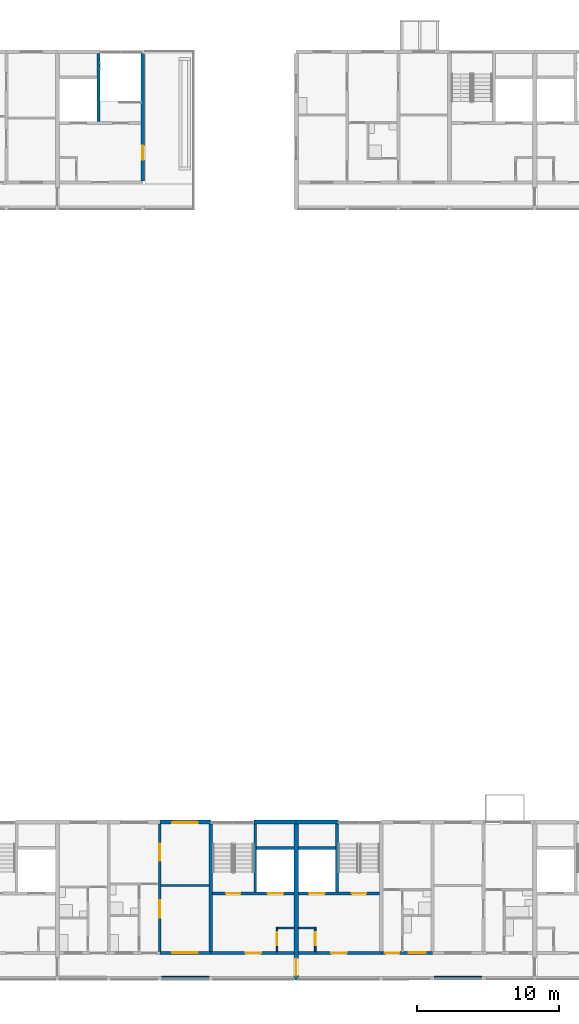
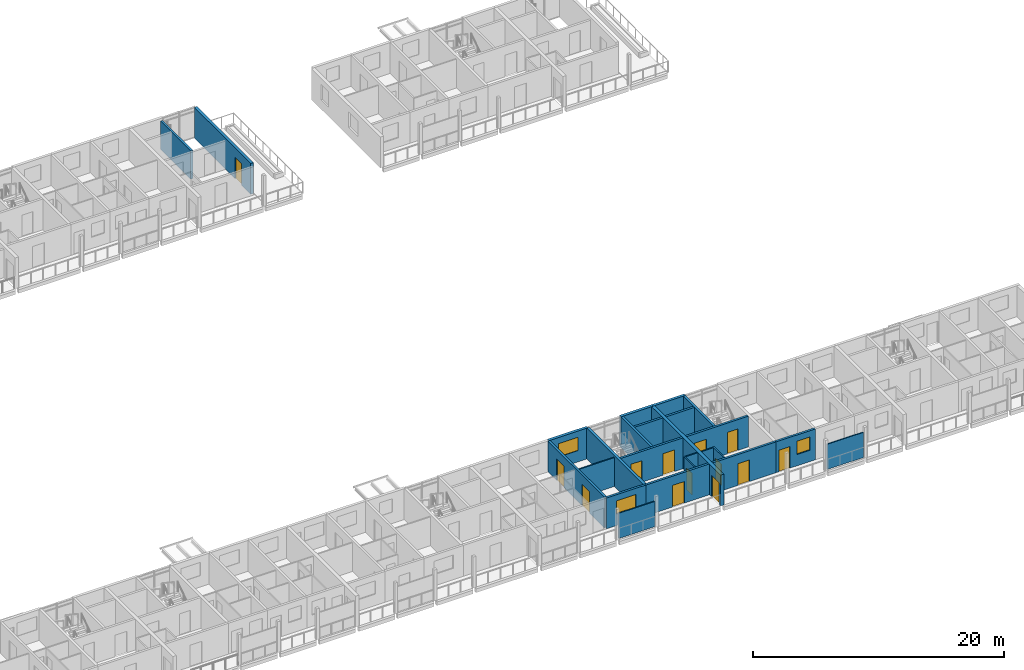
# One storey, part 54 of 87: 25 walls, 13 doors, 3 windows, 16 openings.
"""IFC4 building model written with IfcOpenShell, lengths in metres."""

import ifcopenshell
import ifcopenshell.guid

model = None  # the IFC model being written
_history = None  # IfcOwnerHistory: only IFC2X3 demands one
_inside = {}  # id of a spatial element -> (the spatial element, [elements in it])
_under = {}  # id of a project, library or spatial element -> (it, [spatial elements below it])
_declared = {}  # id of a project -> (the project, [libraries it declares])
_typed = {}  # id of a type object -> (the type object, [elements of that type])
_made_of = {}  # id of a material, layer set ... -> (it, [elements and type objects made of it])


def new_model(schema):
    """Start an empty IFC model of exactly this schema.

    Asked for "IFC4X3", IfcOpenShell would pick the latest addendum, in which some entities
    have other attributes; the version numbers below select the first issue.
    IFC2X3 requires an IfcOwnerHistory on every rooted entity: one is made here for all.
    """
    global model, _history
    if schema == "IFC4X3":
        model = ifcopenshell.file(schema_version=(4, 3, 0, 0))
    else:
        model = ifcopenshell.file(schema=schema)
    _inside.clear()
    _under.clear()
    _declared.clear()
    _typed.clear()
    _made_of.clear()
    _history = None
    if model.schema == "IFC2X3":
        org = make("IfcOrganization", Name="unknown")
        user = make(
            "IfcPersonAndOrganization",
            ThePerson=make("IfcPerson", FamilyName="unknown"),
            TheOrganization=org,
        )
        app = make(
            "IfcApplication",
            ApplicationDeveloper=org,
            Version="unknown",
            ApplicationFullName="unknown",
            ApplicationIdentifier="unknown",
        )
        _history = make(
            "IfcOwnerHistory",
            OwningUser=user,
            OwningApplication=app,
            ChangeAction="ADDED",
            CreationDate=0,
        )
    return model


def make(cls, **values):
    """One entity of the class cls with the attributes given. An attribute that is None is left unset."""
    return model.create_entity(
        cls, **{name: value for name, value in values.items() if value is not None}
    )


def rooted(cls, **values):
    """An entity with a GlobalId (a new one), such as an element, a storey or a relation."""
    return make(cls, GlobalId=ifcopenshell.guid.new(), OwnerHistory=_history, **values)


def si_unit(unit_type, name, prefix=None):
    """IfcSIUnit, for example si_unit("LENGTHUNIT", "METRE", prefix="MILLI")."""
    return make("IfcSIUnit", UnitType=unit_type, Prefix=prefix, Name=name)


def assignment(units):
    """IfcUnitAssignment: the units of a project."""
    return None if units is None else make("IfcUnitAssignment", Units=units)


def point(xyz):
    """IfcCartesianPoint."""
    return None if xyz is None else make("IfcCartesianPoint", Coordinates=xyz)


def direction(xyz):
    """IfcDirection."""
    return None if xyz is None else make("IfcDirection", DirectionRatios=xyz)


def frame(location, z_axis=None, x_axis=None):
    """IfcAxis2Placement3D, a coordinate frame: its origin and axes. An axis left out is left unset."""
    return make(
        "IfcAxis2Placement3D",
        Location=point(location),
        Axis=direction(z_axis),
        RefDirection=direction(x_axis),
    )


def frame_2d(location, x_axis=None):
    """IfcAxis2Placement2D, a coordinate frame in the plane: its origin and x axis."""
    return make(
        "IfcAxis2Placement2D", Location=point(location), RefDirection=direction(x_axis)
    )


def origin():
    """The frame at (0, 0, 0) with its axes left unset."""
    return frame((0.0, 0.0, 0.0))


def place(relative_to, where):
    """IfcLocalPlacement: puts the frame where relative to a parent placement (None: the world)."""
    return make(
        "IfcLocalPlacement", PlacementRelTo=relative_to, RelativePlacement=where
    )


def context(
    kind, dimensions, precision=None, world=None, true_north=None, identifier=None
):
    """IfcGeometricRepresentationContext, for example the 3D "Model" context."""
    return make(
        "IfcGeometricRepresentationContext",
        ContextIdentifier=identifier,
        ContextType=kind,
        CoordinateSpaceDimension=dimensions,
        Precision=precision,
        WorldCoordinateSystem=world,
        TrueNorth=true_north,
    )


def subcontext(parent, identifier, kind, view, scale=None):
    """IfcGeometricRepresentationSubContext, for example "Body" below "Model"."""
    return make(
        "IfcGeometricRepresentationSubContext",
        ContextIdentifier=identifier,
        ContextType=kind,
        ParentContext=parent,
        TargetScale=scale,
        TargetView=view,
    )


def project(units=None, contexts=None):
    """IfcProject with its units and contexts."""
    return rooted(
        "IfcProject",
        Name="project",
        RepresentationContexts=contexts,
        UnitsInContext=assignment(units),
    )


def spatial(cls, under=None, at=None, **own):
    """A site, building, storey or space (cls), placed at a placement, below another one or the project."""
    s = rooted(cls, ObjectPlacement=at, **own)
    if under is not None:
        _under.setdefault(under.id(), (under, []))[1].append(s)
    return s


def profile(cls, at=None, kind="AREA", **sizes):
    """A parametric profile (cls). Its sizes go by their IFC names, for example OverallWidth=200.0."""
    return make(cls, ProfileType=kind, Position=at, **sizes)


def rectangle(**sizes):
    """IfcRectangleProfileDef."""
    return profile("IfcRectangleProfileDef", **sizes)


def extrude(swept, where, along, depth):
    """IfcExtrudedAreaSolid: the profile swept, set in the frame where, extruded along a direction by depth."""
    return make(
        "IfcExtrudedAreaSolid",
        SweptArea=swept,
        Position=where,
        ExtrudedDirection=direction(along),
        Depth=depth,
    )


def shape(context_of_items, identifier, shape_type, items):
    """IfcShapeRepresentation: the items that make up one representation, for example the "Body"."""
    return make(
        "IfcShapeRepresentation",
        ContextOfItems=context_of_items,
        RepresentationIdentifier=identifier,
        RepresentationType=shape_type,
        Items=items,
    )


def material(Name=None, Category=None):
    """IfcMaterial."""
    return make("IfcMaterial", Name=Name, Category=Category)


def layer(
    of_material, thickness, ventilated=None, Name=None, Category=None, Priority=None
):
    """IfcMaterialLayer: one layer of a wall or slab, of a material (None: an air gap)."""
    return make(
        "IfcMaterialLayer",
        Material=of_material,
        LayerThickness=thickness,
        IsVentilated=ventilated,
        Name=Name,
        Category=Category,
        Priority=Priority,
    )


def layer_set(layers, Name=None):
    """IfcMaterialLayerSet."""
    return make("IfcMaterialLayerSet", MaterialLayers=layers, LayerSetName=Name)


def made_of(thing, what):
    """Note that an element or type object is made of a material, layer set ...; save() writes the relation."""
    if what is not None:
        _made_of.setdefault(what.id(), (what, []))[1].append(thing)
    return thing


def type_object(cls, material=None, **own):
    """A type object (cls), such as IfcWallType, which elements share."""
    return made_of(rooted(cls, **own), material)


def element(
    cls,
    number,
    at=None,
    inside=None,
    cuts=None,
    type_object=None,
    material=None,
    context=None,
    identifier="Body",
    shape_type=None,
    held_by="IfcProductDefinitionShape",
    body=None,
    shapes=None,
    **own,
):
    """One element of the class cls, such as IfcWall. Its Tag is "e" and its number.

    at: its placement. inside: the storey or other place that contains it. cuts: it is an
    opening in that element (IfcRelVoidsElement). A single representation is given by context,
    identifier, shape_type and body (its items); several are given by shapes. held_by: the class
    of the entity that holds the representations. save() writes the other relations.
    """
    e = rooted(cls, Tag="e%d" % number, ObjectPlacement=at, **own)
    if body is not None:
        shapes = [shape(context, identifier, shape_type, body)]
    if shapes is not None:
        e.Representation = make(held_by, Representations=shapes)
    if inside is not None:
        _inside.setdefault(inside.id(), (inside, []))[1].append(e)
    if cuts is not None:
        rooted(
            "IfcRelVoidsElement", RelatingBuildingElement=cuts, RelatedOpeningElement=e
        )
    if type_object is not None:
        _typed.setdefault(type_object.id(), (type_object, []))[1].append(e)
    return made_of(e, material)


def fill(opening, filler):
    """IfcRelFillsElement: the door or window that sits in an opening."""
    return rooted(
        "IfcRelFillsElement",
        RelatingOpeningElement=opening,
        RelatedBuildingElement=filler,
    )


def aggregate(whole, parts):
    """IfcRelAggregates: a whole, such as a stair, and the parts it consists of."""
    return rooted("IfcRelAggregates", RelatingObject=whole, RelatedObjects=parts)


def save(model, path):
    """Write the relations noted so far, then the file.

    IfcRelAggregates (storeys below a building ...), IfcRelContainedInSpatialStructure (elements
    in a storey), IfcRelDefinesByType, IfcRelAssociatesMaterial and IfcRelDeclares: one each for
    every whole, place, type object, material and project.
    """
    for whole, parts in _under.values():
        aggregate(whole, parts)
    for where, things in _inside.values():
        rooted(
            "IfcRelContainedInSpatialStructure",
            RelatedElements=things,
            RelatingStructure=where,
        )
    for kind, things in _typed.values():
        rooted("IfcRelDefinesByType", RelatedObjects=things, RelatingType=kind)
    for what, things in _made_of.values():
        rooted("IfcRelAssociatesMaterial", RelatedObjects=things, RelatingMaterial=what)
    for by, libraries in _declared.values():
        rooted("IfcRelDeclares", RelatingContext=by, RelatedDefinitions=libraries)
    model.write(path)


model = new_model("IFC4")

# Units and contexts
model_context = context("Model", 3, precision=1e-05, world=origin(), true_north=direction((0.0, 1.0)))
body_context = subcontext(model_context, "Body", "Model", "MODEL_VIEW")
ifc_project = project(units=[si_unit("LENGTHUNIT", "METRE"), si_unit("AREAUNIT", "SQUARE_METRE"), si_unit("VOLUMEUNIT", "CUBIC_METRE"), si_unit("PLANEANGLEUNIT", "RADIAN"), si_unit("MASSUNIT", "GRAM", prefix="KILO")], contexts=[model_context])

# Site, building, storey
site_placement = place(None, origin())
site = spatial("IfcSite", under=ifc_project, at=site_placement, CompositionType="ELEMENT")
building_placement = place(site_placement, origin())
building = spatial("IfcBuilding", under=site, at=building_placement, Name="Ridgestep Commons", CompositionType="ELEMENT")
storey_placement = place(building_placement, frame((0.0, 0.0, 27.0)))
storey = spatial("IfcBuildingStorey", under=building, at=storey_placement, Name="L09", CompositionType="ELEMENT", Elevation=27.0)

# Wall
ifc_material_1 = material(Name="Concrete C30/37", Category="concrete")
ifc_layer_1 = layer(ifc_material_1, 0.25)
ifc_layer_set_1 = layer_set([ifc_layer_1], Name="Core cross wall 250")
wall_type_1 = type_object("IfcWallType", Name="Core cross wall 250", PredefinedType="SHEAR", material=ifc_layer_set_1)
wall_1_placement = place(storey_placement, frame((208.0, 13.75, 0.0), z_axis=(0.0, 0.0, 1.0), x_axis=(0.0, 1.0, 0.0)))
element("IfcWall", 1, at=wall_1_placement, inside=storey, type_object=wall_type_1, Name="Cross wall D-09-2080", PredefinedType="SHEAR", context=body_context, shape_type="SweptSolid", body=[
    extrude(rectangle(XDim=9.0, YDim=0.25, at=frame_2d((4.5, 0.0))), origin(), (0.0, 0.0, 1.0), 3.0),
])

# Wall, opening, door
ifc_material_2 = material(Name="Concrete C30/37", Category="concrete")
ifc_layer_2 = layer(ifc_material_2, 0.199951171875)
ifc_layer_set_2 = layer_set([ifc_layer_2], Name="Core south wall 200")
wall_type_2 = type_object("IfcWallType", Name="Core south wall 200", PredefinedType="SHEAR", material=ifc_layer_set_2)
wall_2_placement = place(storey_placement, frame((208.0, 13.64990234375, 0.0), z_axis=(0.0, 0.0, 1.0), x_axis=(1.0, 0.0, 0.0)))
wall_2 = element("IfcWall", 2, at=wall_2_placement, inside=storey, type_object=wall_type_2, Name="Core south wall D4C L09", PredefinedType="SHEAR", context=body_context, shape_type="SweptSolid", body=[
    extrude(rectangle(XDim=5.85009765625, YDim=0.199951171875, at=frame_2d((2.925048828125, 0.0))), origin(), (0.0, 0.0, 1.0), 3.0),
])
opening_1_placement = place(wall_2_placement, frame((2.4375, 0.0, 0.0)))
opening_1 = element("IfcOpeningElement", 3, at=opening_1_placement, cuts=wall_2, Name="Opening D4C/09/1", PredefinedType="OPENING", context=body_context, shape_type="SweptSolid", body=[
    extrude(rectangle(XDim=1.10009765625, YDim=2.10009765625, at=frame_2d((0.550048828125, 1.050048828125))), frame((0.0, 0.10986328125, 0.0), z_axis=(0.0, -1.0, 0.0), x_axis=(1.0, 0.0, 0.0)), (0.0, 0.0, 1.0), 0.219970703125),
])
ifc_material_3 = material(Name="Steel fire door", Category="steel")
door_type_1 = type_object("IfcDoorType", Name="Lobby door 1100 x 2100 FD60", OperationType="NOTDEFINED", PredefinedType="DOOR", material=ifc_material_3)
door_1_placement = place(opening_1_placement, origin())
door_1 = element("IfcDoor", 4, at=door_1_placement, inside=storey, type_object=door_type_1, Name="Lobby door D4C/09/1", OperationType="SINGLE_SWING_LEFT", OverallHeight=2.10009765625, OverallWidth=1.10009765625, PredefinedType="DOOR", context=body_context, shape_type="SweptSolid", body=[
    extrude(rectangle(XDim=1.10009765625, YDim=2.10009765625, at=frame_2d((0.550048828125, 1.050048828125))), frame((0.0, 0.02490234375, 0.0), z_axis=(0.0, -1.0, 0.0), x_axis=(1.0, 0.0, 0.0)), (0.0, 0.0, 1.0), 0.050048828125),
])
fill(opening_1, door_1)

wall_3_placement = place(storey_placement, frame((214.14990234375, 13.64990234375, 0.0), z_axis=(0.0, 0.0, 1.0), x_axis=(1.0, 0.0, 0.0)))
wall_3 = element("IfcWall", 5, at=wall_3_placement, inside=storey, type_object=wall_type_2, Name="Core south wall D5C L09", PredefinedType="SHEAR", context=body_context, shape_type="SweptSolid", body=[
    extrude(rectangle(XDim=5.85009765625, YDim=0.199951171875, at=frame_2d((2.925048828125, 0.0))), origin(), (0.0, 0.0, 1.0), 3.0),
])
opening_2_placement = place(wall_3_placement, frame((2.3125, 0.0, 0.0)))
opening_2 = element("IfcOpeningElement", 6, at=opening_2_placement, cuts=wall_3, Name="Opening D5C/09/1", PredefinedType="OPENING", context=body_context, shape_type="SweptSolid", body=[
    extrude(rectangle(XDim=1.10009765625, YDim=2.10009765625, at=frame_2d((0.550048828125, 1.050048828125))), frame((0.0, 0.10986328125, 0.0), z_axis=(0.0, -1.0, 0.0), x_axis=(1.0, 0.0, 0.0)), (0.0, 0.0, 1.0), 0.219970703125),
])
door_2_placement = place(opening_2_placement, origin())
door_2 = element("IfcDoor", 7, at=door_2_placement, inside=storey, type_object=door_type_1, Name="Lobby door D5C/09/1", OperationType="SINGLE_SWING_LEFT", OverallHeight=2.10009765625, OverallWidth=1.10009765625, PredefinedType="DOOR", context=body_context, shape_type="SweptSolid", body=[
    extrude(rectangle(XDim=1.10009765625, YDim=2.10009765625, at=frame_2d((0.550048828125, 1.050048828125))), frame((0.0, 0.02490234375, 0.0), z_axis=(0.0, -1.0, 0.0), x_axis=(1.0, 0.0, 0.0)), (0.0, 0.0, 1.0), 0.050048828125),
])
fill(opening_2, door_2)

ifc_material_4 = material(Name="Concrete C30/37", Category="concrete")
ifc_layer_3 = layer(ifc_material_4, 0.1201171875)
ifc_layer_set_3 = layer_set([ifc_layer_3], Name="Core wall 120")
wall_type_3 = type_object("IfcWallType", Name="Core wall 120", PredefinedType="SHEAR", material=ifc_layer_set_3)
wall_4_placement = place(storey_placement, frame((212.659912109375, 13.75, 0.0), z_axis=(0.0, 0.0, 1.0), x_axis=(0.0, 1.0, 0.0)))
wall_4 = element("IfcWall", 8, at=wall_4_placement, inside=storey, type_object=wall_type_3, Name="Core riser w wall D4C L09", PredefinedType="SHEAR", context=body_context, shape_type="SweptSolid", body=[
    extrude(rectangle(XDim=1.719970703125, YDim=0.1201171875, at=frame_2d((0.85986328125, 0.0))), origin(), (0.0, 0.0, 1.0), 3.0),
])
opening_3_placement = place(wall_4_placement, frame((0.449951171875, 0.0, 0.0)))
opening_3 = element("IfcOpeningElement", 9, at=opening_3_placement, cuts=wall_4, Name="Opening D4C/09/4", PredefinedType="OPENING", context=body_context, shape_type="SweptSolid", body=[
    extrude(rectangle(XDim=0.89990234375, YDim=2.10009765625, at=frame_2d((0.449951171875, 1.050048828125))), frame((0.0, 0.070068359375, 0.0), z_axis=(0.0, -1.0, 0.0), x_axis=(1.0, 0.0, 0.0)), (0.0, 0.0, 1.0), 0.14013671875),
])
ifc_material_5 = material(Name="Steel fire door", Category="steel")
door_type_2 = type_object("IfcDoorType", Name="Riser door 900 x 2100 FD60", OperationType="NOTDEFINED", PredefinedType="DOOR", material=ifc_material_5)
door_3_placement = place(opening_3_placement, origin())
door_3 = element("IfcDoor", 10, at=door_3_placement, inside=storey, type_object=door_type_2, Name="Riser door D4C/09/4", OperationType="SINGLE_SWING_LEFT", OverallHeight=2.10009765625, OverallWidth=0.89990234375, PredefinedType="DOOR", context=body_context, shape_type="SweptSolid", body=[
    extrude(rectangle(XDim=0.89990234375, YDim=2.10009765625, at=frame_2d((0.449951171875, 1.050048828125))), frame((0.0, 0.02490234375, 0.0), z_axis=(0.0, -1.0, 0.0), x_axis=(1.0, 0.0, 0.0)), (0.0, 0.0, 1.0), 0.050048828125),
])
fill(opening_3, door_3)

# Wall
wall_5_placement = place(storey_placement, frame((212.719970703125, 15.409912109375, 0.0), z_axis=(0.0, 0.0, 1.0), x_axis=(1.0, 0.0, 0.0)))
element("IfcWall", 11, at=wall_5_placement, inside=storey, type_object=wall_type_3, Name="Core riser n wall D4C L09", PredefinedType="SHEAR", context=body_context, shape_type="SweptSolid", body=[
    extrude(rectangle(XDim=1.130126953125, YDim=0.1201171875, at=frame_2d((0.56494140625, 0.0))), origin(), (0.0, 0.0, 1.0), 3.0),
])

# Wall, opening, door
wall_6_placement = place(storey_placement, frame((215.340087890625, 13.75, 0.0), z_axis=(0.0, 0.0, 1.0), x_axis=(0.0, 1.0, 0.0)))
wall_6 = element("IfcWall", 12, at=wall_6_placement, inside=storey, type_object=wall_type_3, Name="Core riser w wall D5C L09", PredefinedType="SHEAR", context=body_context, shape_type="SweptSolid", body=[
    extrude(rectangle(XDim=1.719970703125, YDim=0.1201171875, at=frame_2d((0.85986328125, 0.0))), origin(), (0.0, 0.0, 1.0), 3.0),
])
opening_4_placement = place(wall_6_placement, frame((0.449951171875, 0.0, 0.0)))
opening_4 = element("IfcOpeningElement", 13, at=opening_4_placement, cuts=wall_6, Name="Opening D5C/09/4", PredefinedType="OPENING", context=body_context, shape_type="SweptSolid", body=[
    extrude(rectangle(XDim=0.89990234375, YDim=2.10009765625, at=frame_2d((0.449951171875, 1.050048828125))), frame((0.0, 0.070068359375, 0.0), z_axis=(0.0, -1.0, 0.0), x_axis=(1.0, 0.0, 0.0)), (0.0, 0.0, 1.0), 0.14013671875),
])
door_4_placement = place(opening_4_placement, origin())
door_4 = element("IfcDoor", 14, at=door_4_placement, inside=storey, type_object=door_type_2, Name="Riser door D5C/09/4", OperationType="SINGLE_SWING_RIGHT", OverallHeight=2.10009765625, OverallWidth=0.89990234375, PredefinedType="DOOR", context=body_context, shape_type="SweptSolid", body=[
    extrude(rectangle(XDim=0.89990234375, YDim=2.10009765625, at=frame_2d((0.449951171875, 1.050048828125))), frame((0.0, 0.02490234375, 0.0), z_axis=(0.0, -1.0, 0.0), x_axis=(1.0, 0.0, 0.0)), (0.0, 0.0, 1.0), 0.050048828125),
])
fill(opening_4, door_4)

# Walls
wall_7_placement = place(storey_placement, frame((214.14990234375, 15.409912109375, 0.0), z_axis=(0.0, 0.0, 1.0), x_axis=(1.0, 0.0, 0.0)))
element("IfcWall", 15, at=wall_7_placement, inside=storey, type_object=wall_type_3, Name="Core riser n wall D5C L09", PredefinedType="SHEAR", context=body_context, shape_type="SweptSolid", body=[
    extrude(rectangle(XDim=1.130126953125, YDim=0.1201171875, at=frame_2d((0.56494140625, 0.0))), origin(), (0.0, 0.0, 1.0), 3.0),
])
ifc_material_6 = material(Name="Concrete C30/37", Category="concrete")
ifc_layer_4 = layer(ifc_material_6, 0.199951171875)
ifc_layer_set_4 = layer_set([ifc_layer_4], Name="Core wall 200")
wall_type_4 = type_object("IfcWallType", Name="Core wall 200", PredefinedType="SHEAR", material=ifc_layer_set_4)
wall_8_placement = place(storey_placement, frame((200.074951171875, 72.199951171875, 0.0), z_axis=(0.0, 0.0, 1.0), x_axis=(0.0, 1.0, 0.0)))
element("IfcWall", 16, at=wall_8_placement, inside=storey, type_object=wall_type_4, Name="Core stair wall C4C L09", PredefinedType="SHEAR", context=body_context, shape_type="SweptSolid", body=[
    extrude(rectangle(XDim=4.800048828125, YDim=0.199951171875, at=frame_2d((2.39990234375, 0.0))), origin(), (0.0, 0.0, 1.0), 2.75),
])

# Wall, openings, doors
wall_9_placement = place(storey_placement, frame((208.125, 17.85009765625, 0.0), z_axis=(0.0, 0.0, 1.0), x_axis=(1.0, 0.0, 0.0)))
wall_9 = element("IfcWall", 17, at=wall_9_placement, inside=storey, type_object=wall_type_4, Name="Core lobby wall D4C L09", PredefinedType="SHEAR", context=body_context, shape_type="SweptSolid", body=[
    extrude(rectangle(XDim=5.72509765625, YDim=0.199951171875, at=frame_2d((2.862548828125, 0.0))), origin(), (0.0, 0.0, 1.0), 3.0),
])
opening_5_placement = place(wall_9_placement, frame((0.949951171875, 0.0, 0.0)))
opening_5 = element("IfcOpeningElement", 18, at=opening_5_placement, cuts=wall_9, Name="Opening D4C/09/2", PredefinedType="OPENING", context=body_context, shape_type="SweptSolid", body=[
    extrude(rectangle(XDim=1.0, YDim=2.10009765625, at=frame_2d((0.5, 1.050048828125))), frame((0.0, 0.10986328125, 0.0), z_axis=(0.0, -1.0, 0.0), x_axis=(1.0, 0.0, 0.0)), (0.0, 0.0, 1.0), 0.219970703125),
])
opening_6_placement = place(wall_9_placement, frame((3.862548828125, 0.0, 0.0)))
opening_6 = element("IfcOpeningElement", 19, at=opening_6_placement, cuts=wall_9, Name="Opening D4C/09/3", PredefinedType="OPENING", context=body_context, shape_type="SweptSolid", body=[
    extrude(rectangle(XDim=1.10009765625, YDim=2.10009765625, at=frame_2d((0.550048828125, 1.050048828125))), frame((0.0, 0.10986328125, 0.0), z_axis=(0.0, -1.0, 0.0), x_axis=(1.0, 0.0, 0.0)), (0.0, 0.0, 1.0), 0.219970703125),
])
ifc_material_7 = material(Name="Stainless steel", Category="steel")
door_type_3 = type_object("IfcDoorType", Name="Lift landing door 1100 x 2100 FD60", OperationType="DOUBLE_DOOR_SLIDING", PredefinedType="DOOR", material=ifc_material_7)
door_5_placement = place(opening_6_placement, origin())
door_5 = element("IfcDoor", 20, at=door_5_placement, inside=storey, type_object=door_type_3, Name="Landing door LD D4C L09", OperationType="DOUBLE_DOOR_SLIDING", OverallHeight=2.10009765625, OverallWidth=1.10009765625, PredefinedType="DOOR", context=body_context, shape_type="SweptSolid", body=[
    extrude(rectangle(XDim=1.10009765625, YDim=2.10009765625, at=frame_2d((0.550048828125, 1.050048828125))), frame((0.0, 0.02490234375, 0.0), z_axis=(0.0, -1.0, 0.0), x_axis=(1.0, 0.0, 0.0)), (0.0, 0.0, 1.0), 0.050048828125),
])
fill(opening_6, door_5)
ifc_material_8 = material(Name="Steel fire door", Category="steel")
door_type_4 = type_object("IfcDoorType", Name="Stair door 1000 x 2100 FD60", OperationType="NOTDEFINED", PredefinedType="DOOR", material=ifc_material_8)
door_6_placement = place(opening_5_placement, origin())
door_6 = element("IfcDoor", 21, at=door_6_placement, inside=storey, type_object=door_type_4, Name="Stair door D4C/09/2", OperationType="SINGLE_SWING_RIGHT", OverallHeight=2.10009765625, OverallWidth=1.0, PredefinedType="DOOR", context=body_context, shape_type="SweptSolid", body=[
    extrude(rectangle(XDim=1.0, YDim=2.10009765625, at=frame_2d((0.5, 1.050048828125))), frame((0.0, 0.02490234375, 0.0), z_axis=(0.0, -1.0, 0.0), x_axis=(1.0, 0.0, 0.0)), (0.0, 0.0, 1.0), 0.050048828125),
])
fill(opening_5, door_6)

# Walls
wall_10_placement = place(storey_placement, frame((211.125, 17.949951171875, 0.0), z_axis=(0.0, 0.0, 1.0), x_axis=(0.0, 1.0, 0.0)))
element("IfcWall", 22, at=wall_10_placement, inside=storey, type_object=wall_type_4, Name="Core stair wall D4C L09", PredefinedType="SHEAR", context=body_context, shape_type="SweptSolid", body=[
    extrude(rectangle(XDim=4.800048828125, YDim=0.199951171875, at=frame_2d((2.39990234375, 0.0))), origin(), (0.0, 0.0, 1.0), 3.0),
])
wall_11_placement = place(storey_placement, frame((211.22509765625, 21.050048828125, 0.0), z_axis=(0.0, 0.0, 1.0), x_axis=(1.0, 0.0, 0.0)))
element("IfcWall", 23, at=wall_11_placement, inside=storey, type_object=wall_type_4, Name="Core duct wall D4C L09", PredefinedType="SHEAR", context=body_context, shape_type="SweptSolid", body=[
    extrude(rectangle(XDim=2.625, YDim=0.199951171875, at=frame_2d((1.3125, 0.0))), origin(), (0.0, 0.0, 1.0), 3.0),
])

# Wall, openings, doors
wall_12_placement = place(storey_placement, frame((214.14990234375, 17.85009765625, 0.0), z_axis=(0.0, 0.0, 1.0), x_axis=(1.0, 0.0, 0.0)))
wall_12 = element("IfcWall", 24, at=wall_12_placement, inside=storey, type_object=wall_type_4, Name="Core lobby wall D5C L09", PredefinedType="SHEAR", context=body_context, shape_type="SweptSolid", body=[
    extrude(rectangle(XDim=5.72509765625, YDim=0.199951171875, at=frame_2d((2.862548828125, 0.0))), origin(), (0.0, 0.0, 1.0), 3.0),
])
opening_7_placement = place(wall_12_placement, frame((3.77490234375, 0.0, 0.0)))
opening_7 = element("IfcOpeningElement", 25, at=opening_7_placement, cuts=wall_12, Name="Opening D5C/09/2", PredefinedType="OPENING", context=body_context, shape_type="SweptSolid", body=[
    extrude(rectangle(XDim=1.0, YDim=2.10009765625, at=frame_2d((0.5, 1.050048828125))), frame((0.0, 0.10986328125, 0.0), z_axis=(0.0, -1.0, 0.0), x_axis=(1.0, 0.0, 0.0)), (0.0, 0.0, 1.0), 0.219970703125),
])
opening_8_placement = place(wall_12_placement, frame((0.762451171875, 0.0, 0.0)))
opening_8 = element("IfcOpeningElement", 26, at=opening_8_placement, cuts=wall_12, Name="Opening D5C/09/3", PredefinedType="OPENING", context=body_context, shape_type="SweptSolid", body=[
    extrude(rectangle(XDim=1.10009765625, YDim=2.10009765625, at=frame_2d((0.550048828125, 1.050048828125))), frame((0.0, 0.10986328125, 0.0), z_axis=(0.0, -1.0, 0.0), x_axis=(1.0, 0.0, 0.0)), (0.0, 0.0, 1.0), 0.219970703125),
])
door_7_placement = place(opening_8_placement, origin())
door_7 = element("IfcDoor", 27, at=door_7_placement, inside=storey, type_object=door_type_3, Name="Landing door LD D5C L09", OperationType="DOUBLE_DOOR_SLIDING", OverallHeight=2.10009765625, OverallWidth=1.10009765625, PredefinedType="DOOR", context=body_context, shape_type="SweptSolid", body=[
    extrude(rectangle(XDim=1.10009765625, YDim=2.10009765625, at=frame_2d((0.550048828125, 1.050048828125))), frame((0.0, 0.02490234375, 0.0), z_axis=(0.0, -1.0, 0.0), x_axis=(1.0, 0.0, 0.0)), (0.0, 0.0, 1.0), 0.050048828125),
])
fill(opening_8, door_7)
door_8_placement = place(opening_7_placement, origin())
door_8 = element("IfcDoor", 28, at=door_8_placement, inside=storey, type_object=door_type_4, Name="Stair door D5C/09/2", OperationType="SINGLE_SWING_RIGHT", OverallHeight=2.10009765625, OverallWidth=1.0, PredefinedType="DOOR", context=body_context, shape_type="SweptSolid", body=[
    extrude(rectangle(XDim=1.0, YDim=2.10009765625, at=frame_2d((0.5, 1.050048828125))), frame((0.0, 0.02490234375, 0.0), z_axis=(0.0, -1.0, 0.0), x_axis=(1.0, 0.0, 0.0)), (0.0, 0.0, 1.0), 0.050048828125),
])
fill(opening_7, door_8)

# Walls
wall_13_placement = place(storey_placement, frame((216.875, 17.949951171875, 0.0), z_axis=(0.0, 0.0, 1.0), x_axis=(0.0, 1.0, 0.0)))
element("IfcWall", 29, at=wall_13_placement, inside=storey, type_object=wall_type_4, Name="Core stair wall D5C L09", PredefinedType="SHEAR", context=body_context, shape_type="SweptSolid", body=[
    extrude(rectangle(XDim=4.800048828125, YDim=0.199951171875, at=frame_2d((2.39990234375, 0.0))), origin(), (0.0, 0.0, 1.0), 3.0),
])
wall_14_placement = place(storey_placement, frame((214.14990234375, 21.050048828125, 0.0), z_axis=(0.0, 0.0, 1.0), x_axis=(1.0, 0.0, 0.0)))
element("IfcWall", 30, at=wall_14_placement, inside=storey, type_object=wall_type_4, Name="Core duct wall D5C L09", PredefinedType="SHEAR", context=body_context, shape_type="SweptSolid", body=[
    extrude(rectangle(XDim=2.625, YDim=0.199951171875, at=frame_2d((1.3125, 0.0))), origin(), (0.0, 0.0, 1.0), 3.0),
])

# Wall, openings, doors
ifc_material_9 = material(Name="Precast concrete C40/50", Category="concrete")
ifc_layer_5 = layer(ifc_material_9, 0.199951171875)
ifc_layer_set_5 = layer_set([ifc_layer_5], Name="Cross wall 200")
wall_type_5 = type_object("IfcWallType", Name="Cross wall 200", PredefinedType="SHEAR", material=ifc_layer_set_5)
wall_15_placement = place(storey_placement, frame((204.39990234375, 13.75, 0.0), z_axis=(0.0, 0.0, 1.0), x_axis=(0.0, 1.0, 0.0)))
wall_15 = element("IfcWall", 31, at=wall_15_placement, inside=storey, type_object=wall_type_5, Name="Cross wall D-09-2044", PredefinedType="SHEAR", context=body_context, shape_type="SweptSolid", body=[
    extrude(rectangle(XDim=9.0, YDim=0.199951171875, at=frame_2d((4.5, 0.0))), origin(), (0.0, 0.0, 1.0), 3.0),
])
opening_9_placement = place(wall_15_placement, frame((2.39990234375, 0.0, 0.0)))
opening_9 = element("IfcOpeningElement", 32, at=opening_9_placement, cuts=wall_15, Name="Opening D4-09b/5", PredefinedType="OPENING", context=body_context, shape_type="SweptSolid", body=[
    extrude(rectangle(XDim=1.199951171875, YDim=2.10009765625, at=frame_2d((0.60009765625, 1.050048828125))), frame((0.0, 0.10986328125, 0.0), z_axis=(0.0, -1.0, 0.0), x_axis=(1.0, 0.0, 0.0)), (0.0, 0.0, 1.0), 0.219970703125),
])
opening_10_placement = place(wall_15_placement, frame((6.39990234375, 0.0, 0.0)))
opening_10 = element("IfcOpeningElement", 33, at=opening_10_placement, cuts=wall_15, Name="Opening D4-09b/6", PredefinedType="OPENING", context=body_context, shape_type="SweptSolid", body=[
    extrude(rectangle(XDim=1.199951171875, YDim=2.10009765625, at=frame_2d((0.60009765625, 1.050048828125))), frame((0.0, 0.10986328125, 0.0), z_axis=(0.0, -1.0, 0.0), x_axis=(1.0, 0.0, 0.0)), (0.0, 0.0, 1.0), 0.219970703125),
])
ifc_material_10 = material(Name="Timber door leaf", Category="wood")
door_type_5 = type_object("IfcDoorType", Name="Double door 1200 x 2100", OperationType="DOUBLE_DOOR_SINGLE_SWING", PredefinedType="DOOR", material=ifc_material_10)
door_9_placement = place(opening_9_placement, origin())
door_9 = element("IfcDoor", 34, at=door_9_placement, inside=storey, type_object=door_type_5, Name="Double door D4-09b/5", OperationType="DOUBLE_DOOR_SINGLE_SWING", OverallHeight=2.10009765625, OverallWidth=1.199951171875, PredefinedType="DOOR", context=body_context, shape_type="SweptSolid", body=[
    extrude(rectangle(XDim=1.199951171875, YDim=2.10009765625, at=frame_2d((0.60009765625, 1.050048828125))), frame((0.0, 0.02490234375, 0.0), z_axis=(0.0, -1.0, 0.0), x_axis=(1.0, 0.0, 0.0)), (0.0, 0.0, 1.0), 0.050048828125),
])
fill(opening_9, door_9)
door_10_placement = place(opening_10_placement, origin())
door_10 = element("IfcDoor", 35, at=door_10_placement, inside=storey, type_object=door_type_5, Name="Double door D4-09b/6", OperationType="DOUBLE_DOOR_SINGLE_SWING", OverallHeight=2.10009765625, OverallWidth=1.199951171875, PredefinedType="DOOR", context=body_context, shape_type="SweptSolid", body=[
    extrude(rectangle(XDim=1.199951171875, YDim=2.10009765625, at=frame_2d((0.60009765625, 1.050048828125))), frame((0.0, 0.02490234375, 0.0), z_axis=(0.0, -1.0, 0.0), x_axis=(1.0, 0.0, 0.0)), (0.0, 0.0, 1.0), 0.050048828125),
])
fill(opening_10, door_10)

# Wall, opening, door
ifc_material_11 = material(Name="Precast concrete C40/50", Category="concrete")
ifc_layer_6 = layer(ifc_material_11, 0.300048828125)
ifc_layer_set_6 = layer_set([ifc_layer_6], Name="Division wall 300")
wall_type_6 = type_object("IfcWallType", Name="Division wall 300", PredefinedType="SHEAR", material=ifc_layer_set_6)
wall_16_placement = place(storey_placement, frame((214.0, 11.75, 0.0), z_axis=(0.0, 0.0, 1.0), x_axis=(0.0, 1.0, 0.0)))
wall_16 = element("IfcWall", 36, at=wall_16_placement, inside=storey, type_object=wall_type_6, Name="Cross wall D-09-2140", PredefinedType="SHEAR", context=body_context, shape_type="SweptSolid", body=[
    extrude(rectangle(XDim=11.0, YDim=0.300048828125, at=frame_2d((5.5, 0.0))), origin(), (0.0, 0.0, 1.0), 3.0),
])
opening_11_placement = place(wall_16_placement, frame((0.300048828125, 0.0, 0.0)))
opening_11 = element("IfcOpeningElement", 37, at=opening_11_placement, cuts=wall_16, Name="Opening D/09/G2140", PredefinedType="OPENING", context=body_context, shape_type="SweptSolid", body=[
    extrude(rectangle(XDim=1.199951171875, YDim=2.10009765625, at=frame_2d((0.60009765625, 1.050048828125))), frame((0.0, 0.159912109375, 0.0), z_axis=(0.0, -1.0, 0.0), x_axis=(1.0, 0.0, 0.0)), (0.0, 0.0, 1.0), 0.320068359375),
])
ifc_material_12 = material(Name="Steel fire door", Category="steel")
door_type_6 = type_object("IfcDoorType", Name="Division fire door 1200 x 2100 EI 240", OperationType="DOUBLE_DOOR_SINGLE_SWING", PredefinedType="DOOR", material=ifc_material_12)
door_11_placement = place(opening_11_placement, origin())
door_11 = element("IfcDoor", 38, at=door_11_placement, inside=storey, type_object=door_type_6, Name="Division fire door D/09/G2140", OperationType="DOUBLE_DOOR_SINGLE_SWING", OverallHeight=2.10009765625, OverallWidth=1.199951171875, PredefinedType="DOOR", context=body_context, shape_type="SweptSolid", body=[
    extrude(rectangle(XDim=1.199951171875, YDim=2.10009765625, at=frame_2d((0.60009765625, 1.050048828125))), frame((0.0, 0.02490234375, 0.0), z_axis=(0.0, -1.0, 0.0), x_axis=(1.0, 0.0, 0.0)), (0.0, 0.0, 1.0), 0.050048828125),
])
fill(opening_11, door_11)

ifc_material_13 = material(Name="Concrete C30/37", Category="concrete")
ifc_layer_7 = layer(ifc_material_13, 0.25)
ifc_layer_set_7 = layer_set([ifc_layer_7], Name="Exposed core cross wall 250")
wall_type_7 = type_object("IfcWallType", Name="Exposed core cross wall 250", PredefinedType="SHEAR", material=ifc_layer_set_7)
wall_17_placement = place(storey_placement, frame((203.199951171875, 68.0, 0.0), z_axis=(0.0, 0.0, 1.0), x_axis=(0.0, 1.0, 0.0)))
wall_17 = element("IfcWall", 39, at=wall_17_placement, inside=storey, type_object=wall_type_7, Name="Cross wall C-09-2032", PredefinedType="SHEAR", context=body_context, shape_type="SweptSolid", body=[
    extrude(rectangle(XDim=9.0, YDim=0.25, at=frame_2d((4.5, 0.0))), origin(), (0.0, 0.0, 1.0), 3.0),
])
opening_12_placement = place(wall_17_placement, frame((1.5, 0.0, 0.0)))
opening_12 = element("IfcOpeningElement", 40, at=opening_12_placement, cuts=wall_17, Name="Opening C4C/09/T", PredefinedType="OPENING", context=body_context, shape_type="SweptSolid", body=[
    extrude(rectangle(XDim=1.0, YDim=2.10009765625, at=frame_2d((0.5, 1.050048828125))), frame((0.0, 0.135009765625, 0.0), z_axis=(0.0, -1.0, 0.0), x_axis=(1.0, 0.0, 0.0)), (0.0, 0.0, 1.0), 0.27001953125),
])
ifc_material_14 = material(Name="Aluminium and glass", Category="aluminium")
door_type_7 = type_object("IfcDoorType", Name="Terrace door 1000 x 2100 FD60", OperationType="NOTDEFINED", PredefinedType="DOOR", material=ifc_material_14)
door_12_placement = place(opening_12_placement, origin())
door_12 = element("IfcDoor", 41, at=door_12_placement, inside=storey, type_object=door_type_7, Name="Terrace door C4C/09/T", OperationType="SINGLE_SWING_RIGHT", OverallHeight=2.10009765625, OverallWidth=1.0, PredefinedType="DOOR", context=body_context, shape_type="SweptSolid", body=[
    extrude(rectangle(XDim=1.0, YDim=2.10009765625, at=frame_2d((0.5, 1.050048828125))), frame((0.0, 0.02490234375, 0.0), z_axis=(0.0, -1.0, 0.0), x_axis=(1.0, 0.0, 0.0)), (0.0, 0.0, 1.0), 0.050048828125),
])
fill(opening_12, door_12)

# Wall, opening, window
ifc_material_15 = material(Name="Precast concrete C40/50", Category="concrete")
ifc_layer_8 = layer(ifc_material_15, 0.25)
ifc_layer_set_8 = layer_set([ifc_layer_8], Name="North facade panel 250")
wall_type_8 = type_object("IfcWallType", Name="North facade panel 250", PredefinedType="SOLIDWALL", material=ifc_layer_set_8)
wall_18_placement = place(storey_placement, frame((204.39990234375, 22.875, 0.0), z_axis=(0.0, 0.0, 1.0), x_axis=(1.0, 0.0, 0.0)))
wall_18 = element("IfcWall", 42, at=wall_18_placement, inside=storey, type_object=wall_type_8, Name="North panel D4T3 L09", PredefinedType="SOLIDWALL", context=body_context, shape_type="SweptSolid", body=[
    extrude(rectangle(XDim=3.60009765625, YDim=0.25, at=frame_2d((1.800048828125, 0.0))), origin(), (0.0, 0.0, 1.0), 3.0),
])
opening_13_placement = place(wall_18_placement, frame((0.887451171875, 0.0, 1.10009765625)))
opening_13 = element("IfcOpeningElement", 43, at=opening_13_placement, cuts=wall_18, Name="Opening W18", PredefinedType="OPENING", context=body_context, shape_type="SweptSolid", body=[
    extrude(rectangle(XDim=1.800048828125, YDim=1.300048828125, at=frame_2d((0.89990234375, 0.64990234375))), frame((0.0, 0.135009765625, 0.0), z_axis=(0.0, -1.0, 0.0), x_axis=(1.0, 0.0, 0.0)), (0.0, 0.0, 1.0), 0.27001953125),
])
ifc_material_16 = material(Name="Aluminium 6063-T6 and glass", Category="aluminium")
window_type_1 = type_object("IfcWindowType", Name="Flat window 1800 x 1300", PartitioningType="DOUBLE_PANEL_VERTICAL", PredefinedType="WINDOW", material=ifc_material_16)
window_1_placement = place(opening_13_placement, origin())
window_1 = element("IfcWindow", 44, at=window_1_placement, inside=storey, type_object=window_type_1, Name="Window D4-09b 2", OverallHeight=1.300048828125, OverallWidth=1.800048828125, PartitioningType="SINGLE_PANEL", PredefinedType="WINDOW", context=body_context, shape_type="SweptSolid", body=[
    extrude(rectangle(XDim=1.800048828125, YDim=1.300048828125, at=frame_2d((0.89990234375, 0.64990234375))), frame((0.0, -0.02490234375, 0.0), z_axis=(0.0, -1.0, 0.0), x_axis=(1.0, 0.0, 0.0)), (0.0, 0.0, 1.0), 0.06005859375),
])
fill(opening_13, window_1)

# Walls
for number, where, z_axis, x_axis, name in (
    (45, (211.02490234375, 22.875, 0.0), (0.0, 0.0, 1.0), (1.0, 0.0, 0.0), "North panel D4C L09"),
    (46, (214.0, 22.875, 0.0), (0.0, 0.0, 1.0), (1.0, 0.0, 0.0), "North panel D5C L09"),
):
    element("IfcWall", number, at=place(storey_placement, frame(where, z_axis=z_axis, x_axis=x_axis)), inside=storey, type_object=wall_type_8, Name=name, PredefinedType="SOLIDWALL", context=body_context, shape_type="SweptSolid", body=[
        extrude(rectangle(XDim=2.97509765625, YDim=0.25, at=frame_2d((1.487548828125, 0.0))), origin(), (0.0, 0.0, 1.0), 3.0),
    ])
ifc_material_17 = material(Name="Common brick 110 mm", Category="masonry")
ifc_layer_9 = layer(ifc_material_17, 0.110107421875)
ifc_layer_set_9 = layer_set([ifc_layer_9], Name="Partition 110")
wall_type_9 = type_object("IfcWallType", Name="Partition 110", PredefinedType="PARTITIONING", material=ifc_layer_set_9)
wall_19_placement = place(storey_placement, frame((204.5, 18.405029296875, 0.0), z_axis=(0.0, 0.0, 1.0), x_axis=(1.0, 0.0, 0.0)))
element("IfcWall", 47, at=wall_19_placement, inside=storey, type_object=wall_type_9, Name="Partition D4-09b", PredefinedType="PARTITIONING", context=body_context, shape_type="SweptSolid", body=[
    extrude(rectangle(XDim=3.375, YDim=0.110107421875, at=frame_2d((1.6875, 0.0))), origin(), (0.0, 0.0, 1.0), 2.800048828125),
])
ifc_material_18 = material(Name="Precast concrete C30/37", Category="concrete")
ifc_layer_10 = layer(ifc_material_18, 0.10009765625)
ifc_layer_set_10 = layer_set([ifc_layer_10], Name="Perforated gallery screen 3350 x 2450 x 100")
wall_type_10 = type_object("IfcWallType", Name="Perforated gallery screen 3350 x 2450 x 100", PredefinedType="SOLIDWALL", material=ifc_layer_set_10)
wall_20_placement = place(storey_placement, frame((204.52490234375, 11.949951171875, 0.0), z_axis=(0.0, 0.0, 1.0), x_axis=(1.0, 0.0, 0.0)))
element("IfcWall", 48, at=wall_20_placement, inside=storey, type_object=wall_type_10, Name="Gallery screen D4T3 09", PredefinedType="SOLIDWALL", context=body_context, shape_type="SweptSolid", body=[
    extrude(rectangle(XDim=3.35009765625, YDim=0.10009765625, at=frame_2d((1.675048828125, 0.0))), origin(), (0.0, 0.0, 1.0), 2.449951171875),
])
wall_21_placement = place(storey_placement, frame((223.72509765625, 11.949951171875, 0.0), z_axis=(0.0, 0.0, 1.0), x_axis=(1.0, 0.0, 0.0)))
element("IfcWall", 49, at=wall_21_placement, inside=storey, type_object=wall_type_10, Name="Gallery screen D5T2 09", PredefinedType="SOLIDWALL", context=body_context, shape_type="SweptSolid", body=[
    extrude(rectangle(XDim=3.349853515625, YDim=0.10009765625, at=frame_2d((1.6748046875, 0.0))), origin(), (0.0, 0.0, 1.0), 2.449951171875),
])

# Wall, opening, window
ifc_material_19 = material(Name="Precast concrete C40/50", Category="concrete")
ifc_layer_11 = layer(ifc_material_19, 0.199951171875)
ifc_layer_set_11 = layer_set([ifc_layer_11], Name="South facade panel 200")
wall_type_11 = type_object("IfcWallType", Name="South facade panel 200", PredefinedType="SOLIDWALL", material=ifc_layer_set_11)
wall_22_placement = place(storey_placement, frame((204.39990234375, 13.64990234375, 0.0), z_axis=(0.0, 0.0, 1.0), x_axis=(1.0, 0.0, 0.0)))
wall_22 = element("IfcWall", 50, at=wall_22_placement, inside=storey, type_object=wall_type_11, Name="South panel D4T3 L09", PredefinedType="SOLIDWALL", context=body_context, shape_type="SweptSolid", body=[
    extrude(rectangle(XDim=3.60009765625, YDim=0.199951171875, at=frame_2d((1.800048828125, 0.0))), origin(), (0.0, 0.0, 1.0), 3.0),
])
opening_14_placement = place(wall_22_placement, frame((0.887451171875, 0.0, 1.10009765625)))
opening_14 = element("IfcOpeningElement", 51, at=opening_14_placement, cuts=wall_22, Name="Opening W18", PredefinedType="OPENING", context=body_context, shape_type="SweptSolid", body=[
    extrude(rectangle(XDim=1.800048828125, YDim=1.300048828125, at=frame_2d((0.89990234375, 0.64990234375))), frame((0.0, 0.10986328125, 0.0), z_axis=(0.0, -1.0, 0.0), x_axis=(1.0, 0.0, 0.0)), (0.0, 0.0, 1.0), 0.219970703125),
])
window_2_placement = place(opening_14_placement, origin())
window_2 = element("IfcWindow", 52, at=window_2_placement, inside=storey, type_object=window_type_1, Name="Window D4-09b 1", OverallHeight=1.300048828125, OverallWidth=1.800048828125, PartitioningType="SINGLE_PANEL", PredefinedType="WINDOW", context=body_context, shape_type="SweptSolid", body=[
    extrude(rectangle(XDim=1.800048828125, YDim=1.300048828125, at=frame_2d((0.89990234375, 0.64990234375))), frame((0.0, 0.06005859375, 0.0), z_axis=(0.0, -1.0, 0.0), x_axis=(1.0, 0.0, 0.0)), (0.0, 0.0, 1.0), 0.06005859375),
])
fill(opening_14, window_2)

# Wall, openings, door, window
wall_23_placement = place(storey_placement, frame((220.0, 13.64990234375, 0.0), z_axis=(0.0, 0.0, 1.0), x_axis=(1.0, 0.0, 0.0)))
wall_23 = element("IfcWall", 53, at=wall_23_placement, inside=storey, type_object=wall_type_11, Name="South panel D5T3 L09", PredefinedType="SOLIDWALL", context=body_context, shape_type="SweptSolid", body=[
    extrude(rectangle(XDim=3.60009765625, YDim=0.199951171875, at=frame_2d((1.800048828125, 0.0))), origin(), (0.0, 0.0, 1.0), 3.0),
])
opening_15_placement = place(wall_23_placement, frame((1.91748046875, 0.0, 1.10009765625)))
opening_15 = element("IfcOpeningElement", 54, at=opening_15_placement, cuts=wall_23, Name="Opening W08", PredefinedType="OPENING", context=body_context, shape_type="SweptSolid", body=[
    extrude(rectangle(XDim=1.199951171875, YDim=1.300048828125, at=frame_2d((0.60009765625, 0.64990234375))), frame((0.0, 0.10986328125, 0.0), z_axis=(0.0, -1.0, 0.0), x_axis=(1.0, 0.0, 0.0)), (0.0, 0.0, 1.0), 0.219970703125),
])
opening_16_placement = place(wall_23_placement, frame((0.27490234375, 0.0, 0.0)))
opening_16 = element("IfcOpeningElement", 55, at=opening_16_placement, cuts=wall_23, Name="Opening D5-09b/1", PredefinedType="OPENING", context=body_context, shape_type="SweptSolid", body=[
    extrude(rectangle(XDim=1.0, YDim=2.10009765625, at=frame_2d((0.5, 1.050048828125))), frame((0.0, 0.10986328125, 0.0), z_axis=(0.0, -1.0, 0.0), x_axis=(1.0, 0.0, 0.0)), (0.0, 0.0, 1.0), 0.219970703125),
])
ifc_material_20 = material(Name="Timber door leaf", Category="wood")
door_type_8 = type_object("IfcDoorType", Name="Flat entrance door 1000 x 2100 FD30S", OperationType="NOTDEFINED", PredefinedType="DOOR", material=ifc_material_20)
door_13_placement = place(opening_16_placement, origin())
door_13 = element("IfcDoor", 56, at=door_13_placement, inside=storey, type_object=door_type_8, Name="Flat entrance door D5-09b/1", OperationType="SINGLE_SWING_LEFT", OverallHeight=2.10009765625, OverallWidth=1.0, PredefinedType="DOOR", context=body_context, shape_type="SweptSolid", body=[
    extrude(rectangle(XDim=1.0, YDim=2.10009765625, at=frame_2d((0.5, 1.050048828125))), frame((0.0, 0.02490234375, 0.0), z_axis=(0.0, -1.0, 0.0), x_axis=(1.0, 0.0, 0.0)), (0.0, 0.0, 1.0), 0.050048828125),
])
fill(opening_16, door_13)
ifc_material_21 = material(Name="Aluminium 6063-T6 and glass", Category="aluminium")
window_type_2 = type_object("IfcWindowType", Name="Flat window 1200 x 1300", PartitioningType="SINGLE_PANEL", PredefinedType="WINDOW", material=ifc_material_21)
window_3_placement = place(opening_15_placement, origin())
window_3 = element("IfcWindow", 57, at=window_3_placement, inside=storey, type_object=window_type_2, Name="Window D5-09b 1", OverallHeight=1.300048828125, OverallWidth=1.199951171875, PartitioningType="SINGLE_PANEL", PredefinedType="WINDOW", context=body_context, shape_type="SweptSolid", body=[
    extrude(rectangle(XDim=1.199951171875, YDim=1.300048828125, at=frame_2d((0.60009765625, 0.64990234375))), frame((0.0, 0.06005859375, 0.0), z_axis=(0.0, -1.0, 0.0), x_axis=(1.0, 0.0, 0.0)), (0.0, 0.0, 1.0), 0.06005859375),
])
fill(opening_15, window_3)

save(model, "model.ifc")
